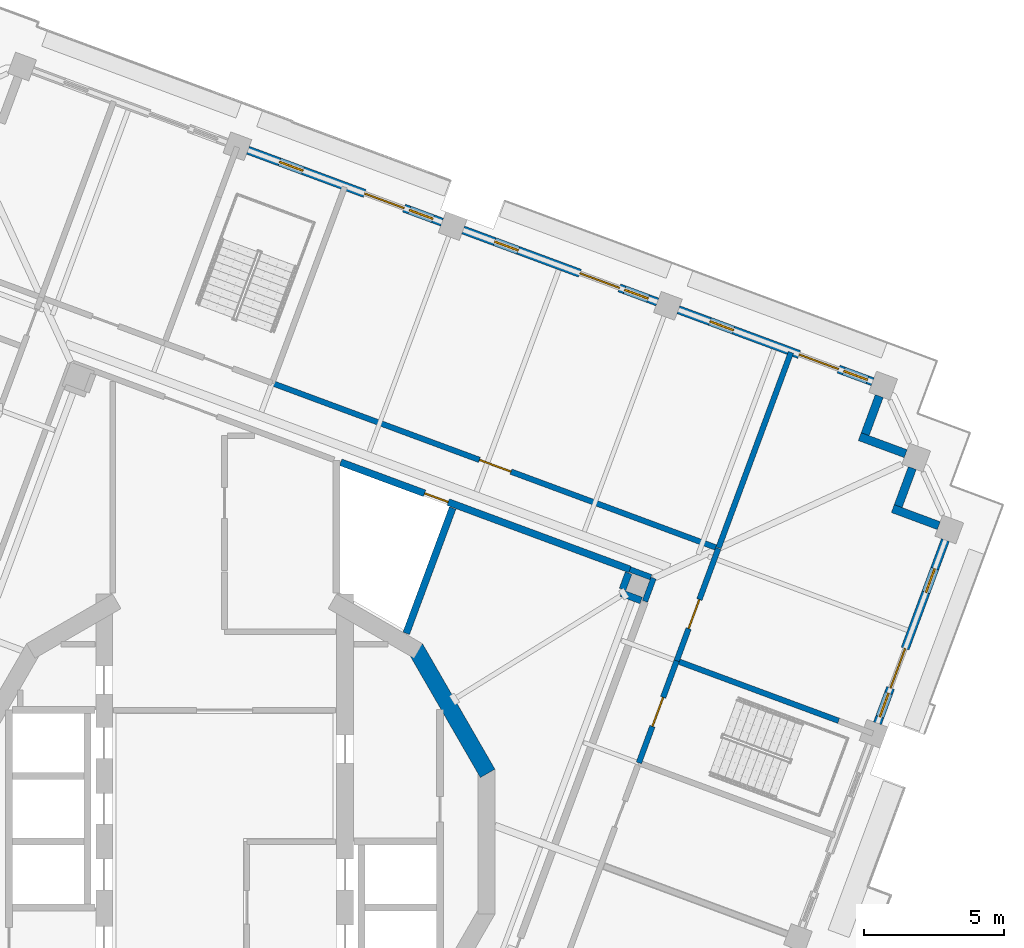
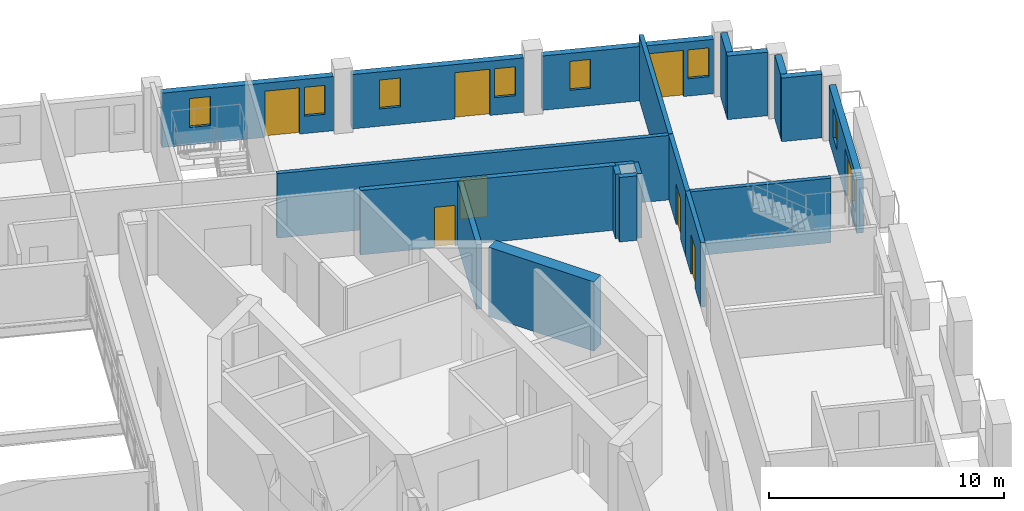
# One storey, part 12 of 20: 20 walls, 8 doors, 8 windows, 16 openings.
"""IFC4 building model written with IfcOpenShell, lengths in metres."""

from ifc_helpers import new_model, si_unit, direction, frame, frame_2d, origin, place, context, subcontext, project, spatial, rectangle, extrude, material, layer, layer_set, type_object, element, fill, save


model = new_model("IFC4")

# Units and contexts
model_context = context("Model", 3, precision=1e-05, world=origin(), true_north=direction((0.0, 1.0)))
body_context = subcontext(model_context, "Body", "Model", "MODEL_VIEW")
ifc_project = project(units=[si_unit("LENGTHUNIT", "METRE"), si_unit("AREAUNIT", "SQUARE_METRE"), si_unit("VOLUMEUNIT", "CUBIC_METRE"), si_unit("PLANEANGLEUNIT", "RADIAN"), si_unit("MASSUNIT", "GRAM", prefix="KILO")], contexts=[model_context])

# Site, building, storey
site_placement = place(None, origin())
site = spatial("IfcSite", under=ifc_project, at=site_placement, CompositionType="ELEMENT")
building_placement = place(site_placement, origin())
building = spatial("IfcBuilding", under=site, at=building_placement, Name="Cantera Rosa Tower", CompositionType="ELEMENT")
storey_placement = place(building_placement, frame((0.0, 0.0, 309.699951171875)))
storey = spatial("IfcBuildingStorey", under=building, at=storey_placement, Name="L68", CompositionType="ELEMENT", Elevation=309.699951171875)

# Walls
ifc_material_1 = material(Name="Gypsum board partition")
ifc_layer_1 = layer(ifc_material_1, 0.199951171875)
ifc_layer_set_1 = layer_set([ifc_layer_1], Name="CORRIDOR WALL 200 H3350")
wall_type_1 = type_object("IfcWallType", Name="CORRIDOR WALL 200 H3350", PredefinedType="PARTITIONING", material=ifc_layer_set_1)
wall_1_placement = place(storey_placement, frame((15.019287109375, 8.586181640625, 0.0), z_axis=(0.0, 0.0, 1.0), x_axis=(0.347684862487, 0.937611452787, 0.0)))
element("IfcWall", 1, at=wall_1_placement, inside=storey, type_object=wall_type_1, Name="CORRIDOR WALL L68-095", PredefinedType="PARTITIONING", context=body_context, shape_type="SweptSolid", body=[
    extrude(rectangle(XDim=0.8798828125, YDim=0.199951171875, at=frame_2d((0.43994140625, 0.0))), origin(), (0.0, 0.0, 1.0), 3.35009765625),
])
wall_2_placement = place(storey_placement, frame((15.2314453125, 9.446044921875, 0.0), z_axis=(0.0, 0.0, 1.0), x_axis=(-0.937664076813, 0.347542916853, 0.0)))
element("IfcWall", 2, at=wall_2_placement, inside=storey, type_object=wall_type_1, Name="CORRIDOR WALL L68-097", PredefinedType="PARTITIONING", context=body_context, shape_type="SweptSolid", body=[
    extrude(rectangle(XDim=0.800048828125, YDim=0.199951171875, at=frame_2d((0.39990234375, 0.0))), origin(), (0.0, 0.0, 1.0), 3.35009765625),
])

# Wall, opening, door
wall_3_placement = place(storey_placement, frame((16.1513671875, 6.460205078125, 0.0), z_axis=(0.0, 0.0, 1.0), x_axis=(0.347438825371, 0.937702651497, 0.0)))
wall_3 = element("IfcWall", 3, at=wall_3_placement, inside=storey, type_object=wall_type_1, Name="CORRIDOR WALL L68-099", PredefinedType="PARTITIONING", context=body_context, shape_type="SweptSolid", body=[
    extrude(rectangle(XDim=4.280029296875, YDim=0.199951171875, at=frame_2d((2.14013671875, 0.0))), origin(), (0.0, 0.0, 1.0), 3.35009765625),
])
opening_1_placement = place(wall_3_placement, frame((1.22998046875, 0.0, 0.0)))
opening_1 = element("IfcOpeningElement", 4, at=opening_1_placement, cuts=wall_3, Name="Opening L68-040", PredefinedType="OPENING", context=body_context, shape_type="SweptSolid", body=[
    extrude(rectangle(XDim=1.10009765625, YDim=2.10009765625, at=frame_2d((0.550048828125, 1.050048828125))), frame((0.0, 0.10986328125, 0.0), z_axis=(0.0, -1.0, 0.0), x_axis=(1.0, 0.0, 0.0)), (0.0, 0.0, 1.0), 0.219970703125),
])
ifc_material_2 = material(Name="Timber door leaf", Category="wood")
door_type_1 = type_object("IfcDoorType", Name="ROOM DOOR 1100x2100", OperationType="NOTDEFINED", PredefinedType="DOOR", material=ifc_material_2)
door_1_placement = place(opening_1_placement, origin())
door_1 = element("IfcDoor", 5, at=door_1_placement, inside=storey, type_object=door_type_1, Name="DOOR L68-040", OperationType="NOTDEFINED", OverallHeight=2.10009765625, OverallWidth=1.10009765625, PredefinedType="DOOR", context=body_context, shape_type="SweptSolid", body=[
    extrude(rectangle(XDim=1.10009765625, YDim=2.10009765625, at=frame_2d((0.550048828125, 1.050048828125))), frame((0.0, 0.02490234375, 0.0), z_axis=(0.0, -1.0, 0.0), x_axis=(1.0, 0.0, 0.0)), (0.0, 0.0, 1.0), 0.050048828125),
])
fill(opening_1, door_1)

wall_4_placement = place(storey_placement, frame((17.544677734375, 10.50830078125, 0.0), z_axis=(0.0, 0.0, 1.0), x_axis=(-0.937684617113, 0.347487494493, 0.0)))
wall_4 = element("IfcWall", 6, at=wall_4_placement, inside=storey, type_object=wall_type_1, Name="CORRIDOR WALL L68-100", PredefinedType="PARTITIONING", context=body_context, shape_type="SweptSolid", body=[
    extrude(rectangle(XDim=16.900146484375, YDim=0.199951171875, at=frame_2d((8.4501953125, 0.0))), origin(), (0.0, 0.0, 1.0), 3.35009765625),
])
opening_2_placement = place(wall_4_placement, frame((7.800048828125, 0.0, 0.0)))
opening_2 = element("IfcOpeningElement", 7, at=opening_2_placement, cuts=wall_4, Name="Opening L68-020", PredefinedType="OPENING", context=body_context, shape_type="SweptSolid", body=[
    extrude(rectangle(XDim=1.199951171875, YDim=2.10009765625, at=frame_2d((0.60009765625, 1.050048828125))), frame((0.0, 0.10986328125, 0.0), z_axis=(0.0, -1.0, 0.0), x_axis=(1.0, 0.0, 0.0)), (0.0, 0.0, 1.0), 0.219970703125),
])
ifc_material_3 = material(Name="Timber door leaf", Category="wood")
door_type_2 = type_object("IfcDoorType", Name="ROOM DOOR 1200x2100", OperationType="NOTDEFINED", PredefinedType="DOOR", material=ifc_material_3)
door_2_placement = place(opening_2_placement, origin())
door_2 = element("IfcDoor", 8, at=door_2_placement, inside=storey, type_object=door_type_2, Name="DOOR L68-020", OperationType="NOTDEFINED", OverallHeight=2.10009765625, OverallWidth=1.199951171875, PredefinedType="DOOR", context=body_context, shape_type="SweptSolid", body=[
    extrude(rectangle(XDim=1.199951171875, YDim=2.10009765625, at=frame_2d((0.60009765625, 1.050048828125))), frame((0.0, 0.02490234375, 0.0), z_axis=(0.0, -1.0, 0.0), x_axis=(1.0, 0.0, 0.0)), (0.0, 0.0, 1.0), 0.050048828125),
])
fill(opening_2, door_2)

# Walls
ifc_material_4 = material(Name="Hollow clay masonry with cantera stone cladding", Category="masonry")
ifc_layer_2 = layer(ifc_material_4, 0.300048828125)
ifc_layer_set_2 = layer_set([ifc_layer_2], Name="EW-LOGGIA 300")
wall_type_2 = type_object("IfcWallType", Name="EW-LOGGIA 300", PredefinedType="SOLIDWALL", material=ifc_layer_set_2)
wall_5_placement = place(storey_placement, frame((25.51220703125, 11.288330078125, 0.0), z_axis=(0.0, 0.0, 1.0), x_axis=(-0.937669639538, 0.34752790836, 0.0)))
element("IfcWall", 9, at=wall_5_placement, inside=storey, type_object=wall_type_2, Name="EN-L68-W25a", PredefinedType="SOLIDWALL", context=body_context, shape_type="SweptSolid", body=[
    extrude(rectangle(XDim=1.75, YDim=0.300048828125, at=frame_2d((0.875, 0.0))), origin(), (0.0, 0.0, 1.0), 3.300048828125),
])
wall_6_placement = place(storey_placement, frame((24.06396484375, 11.985107421875, 0.0), z_axis=(0.0, 0.0, 1.0), x_axis=(0.347522732201, 0.937671557958, 0.0)))
element("IfcWall", 10, at=wall_6_placement, inside=storey, type_object=wall_type_2, Name="EN-L68-W25b", PredefinedType="SOLIDWALL", context=body_context, shape_type="SweptSolid", body=[
    extrude(rectangle(XDim=1.449951171875, YDim=0.300048828125, at=frame_2d((0.72509765625, 0.0))), origin(), (0.0, 0.0, 1.0), 3.300048828125),
])
wall_7_placement = place(storey_placement, frame((24.331787109375, 13.858642578125, 0.0), z_axis=(0.0, 0.0, 1.0), x_axis=(-0.937669639538, 0.34752790836, 0.0)))
element("IfcWall", 11, at=wall_7_placement, inside=storey, type_object=wall_type_2, Name="EN-L68-W26a", PredefinedType="SOLIDWALL", context=body_context, shape_type="SweptSolid", body=[
    extrude(rectangle(XDim=1.75, YDim=0.300048828125, at=frame_2d((0.875, 0.0))), origin(), (0.0, 0.0, 1.0), 3.300048828125),
])
wall_8_placement = place(storey_placement, frame((22.883544921875, 14.555419921875, 0.0), z_axis=(0.0, 0.0, 1.0), x_axis=(0.347522732201, 0.937671557958, 0.0)))
element("IfcWall", 12, at=wall_8_placement, inside=storey, type_object=wall_type_2, Name="EN-L68-W26b", PredefinedType="SOLIDWALL", context=body_context, shape_type="SweptSolid", body=[
    extrude(rectangle(XDim=1.449951171875, YDim=0.300048828125, at=frame_2d((0.72509765625, 0.0))), origin(), (0.0, 0.0, 1.0), 3.300048828125),
])

# Wall, openings, windows, door
ifc_material_5 = material(Name="Hollow clay masonry with cantera stone cladding", Category="masonry")
ifc_layer_3 = layer(ifc_material_5, 0.300048828125)
ifc_layer_set_3 = layer_set([ifc_layer_3], Name="EW-LOGGIA 300 H2820")
wall_type_3 = type_object("IfcWallType", Name="EW-LOGGIA 300 H2820", PredefinedType="SOLIDWALL", material=ifc_layer_set_3)
wall_9_placement = place(storey_placement, frame((23.1513671875, 16.428955078125, 0.0), z_axis=(0.0, 0.0, 1.0), x_axis=(-0.937676706507, 0.347508840281, 0.0)))
wall_9 = element("IfcWall", 13, at=wall_9_placement, inside=storey, type_object=wall_type_3, Name="EN-L68-W01", PredefinedType="SOLIDWALL", context=body_context, shape_type="SweptSolid", body=[
    extrude(rectangle(XDim=7.39990234375, YDim=0.300048828125, at=frame_2d((3.699951171875, 0.0))), origin(), (0.0, 0.0, 1.0), 2.820068359375),
])
opening_3_placement = place(wall_9_placement, frame((0.199951171875, 0.0, 0.89990234375)))
opening_3 = element("IfcOpeningElement", 14, at=opening_3_placement, cuts=wall_9, Name="Opening L68-W01", PredefinedType="OPENING", context=body_context, shape_type="SweptSolid", body=[
    extrude(rectangle(XDim=0.89990234375, YDim=1.5, at=frame_2d((0.449951171875, 0.75))), frame((0.0, 0.159912109375, 0.0), z_axis=(0.0, -1.0, 0.0), x_axis=(1.0, 0.0, 0.0)), (0.0, 0.0, 1.0), 0.320068359375),
])
opening_4_placement = place(wall_9_placement, frame((1.300048828125, 0.0, 0.0)))
opening_4 = element("IfcOpeningElement", 15, at=opening_4_placement, cuts=wall_9, Name="Opening L68-TD02", PredefinedType="OPENING", context=body_context, shape_type="SweptSolid", body=[
    extrude(rectangle(XDim=1.5, YDim=2.39990234375, at=frame_2d((0.75, 1.199951171875))), frame((0.0, 0.159912109375, 0.0), z_axis=(0.0, -1.0, 0.0), x_axis=(1.0, 0.0, 0.0)), (0.0, 0.0, 1.0), 0.320068359375),
])
opening_5_placement = place(wall_9_placement, frame((5.300048828125, 0.0, 0.89990234375)))
opening_5 = element("IfcOpeningElement", 16, at=opening_5_placement, cuts=wall_9, Name="Opening L68-W03", PredefinedType="OPENING", context=body_context, shape_type="SweptSolid", body=[
    extrude(rectangle(XDim=0.89990234375, YDim=1.5, at=frame_2d((0.449951171875, 0.75))), frame((0.0, 0.159912109375, 0.0), z_axis=(0.0, -1.0, 0.0), x_axis=(1.0, 0.0, 0.0)), (0.0, 0.0, 1.0), 0.320068359375),
])
ifc_material_6 = material(Name="Aluminium frame with clear glass", Category="aluminium")
window_type = type_object("IfcWindowType", Name="Residential window 900x1500", PartitioningType="SINGLE_PANEL", PredefinedType="WINDOW", material=ifc_material_6)
window_1_placement = place(opening_3_placement, origin())
window_1 = element("IfcWindow", 17, at=window_1_placement, inside=storey, type_object=window_type, Name="WINDOW L68-W01", OverallHeight=1.5, OverallWidth=0.89990234375, PartitioningType="SINGLE_PANEL", PredefinedType="WINDOW", context=body_context, shape_type="SweptSolid", body=[
    extrude(rectangle(XDim=0.89990234375, YDim=1.5, at=frame_2d((0.449951171875, 0.75))), frame((0.0, 0.030029296875, 0.0), z_axis=(0.0, -1.0, 0.0), x_axis=(1.0, 0.0, 0.0)), (0.0, 0.0, 1.0), 0.06005859375),
])
fill(opening_3, window_1)
window_2_placement = place(opening_5_placement, origin())
window_2 = element("IfcWindow", 18, at=window_2_placement, inside=storey, type_object=window_type, Name="WINDOW L68-W03", OverallHeight=1.5, OverallWidth=0.89990234375, PartitioningType="SINGLE_PANEL", PredefinedType="WINDOW", context=body_context, shape_type="SweptSolid", body=[
    extrude(rectangle(XDim=0.89990234375, YDim=1.5, at=frame_2d((0.449951171875, 0.75))), frame((0.0, 0.030029296875, 0.0), z_axis=(0.0, -1.0, 0.0), x_axis=(1.0, 0.0, 0.0)), (0.0, 0.0, 1.0), 0.06005859375),
])
fill(opening_5, window_2)
ifc_material_7 = material(Name="Aluminium frame with clear glass", Category="aluminium")
door_type_3 = type_object("IfcDoorType", Name="TD-R 1500x2400", OperationType="NOTDEFINED", PredefinedType="DOOR", material=ifc_material_7)
door_3_placement = place(opening_4_placement, origin())
door_3 = element("IfcDoor", 19, at=door_3_placement, inside=storey, type_object=door_type_3, Name="LOGGIA DOOR L68-TD02", OperationType="SLIDING_TO_LEFT", OverallHeight=2.39990234375, OverallWidth=1.5, PredefinedType="DOOR", context=body_context, shape_type="SweptSolid", body=[
    extrude(rectangle(XDim=1.5, YDim=2.39990234375, at=frame_2d((0.75, 1.199951171875))), frame((0.0, 0.02490234375, 0.0), z_axis=(0.0, -1.0, 0.0), x_axis=(1.0, 0.0, 0.0)), (0.0, 0.0, 1.0), 0.050048828125),
])
fill(opening_4, door_3)

wall_10_placement = place(storey_placement, frame((15.46240234375, 19.2783203125, 0.0), z_axis=(0.0, 0.0, 1.0), x_axis=(-0.937680690562, 0.34749808999, 0.0)))
wall_10 = element("IfcWall", 20, at=wall_10_placement, inside=storey, type_object=wall_type_3, Name="EN-L68-W02", PredefinedType="SOLIDWALL", context=body_context, shape_type="SweptSolid", body=[
    extrude(rectangle(XDim=7.400146484375, YDim=0.300048828125, at=frame_2d((3.7001953125, 0.0))), origin(), (0.0, 0.0, 1.0), 2.820068359375),
])
opening_6_placement = place(wall_10_placement, frame((0.35009765625, 0.0, 0.89990234375)))
opening_6 = element("IfcOpeningElement", 21, at=opening_6_placement, cuts=wall_10, Name="Opening L68-W04", PredefinedType="OPENING", context=body_context, shape_type="SweptSolid", body=[
    extrude(rectangle(XDim=0.89990234375, YDim=1.5, at=frame_2d((0.449951171875, 0.75))), frame((0.0, 0.159912109375, 0.0), z_axis=(0.0, -1.0, 0.0), x_axis=(1.0, 0.0, 0.0)), (0.0, 0.0, 1.0), 0.320068359375),
])
opening_7_placement = place(wall_10_placement, frame((1.449951171875, 0.0, 0.0)))
opening_7 = element("IfcOpeningElement", 22, at=opening_7_placement, cuts=wall_10, Name="Opening L68-TD05", PredefinedType="OPENING", context=body_context, shape_type="SweptSolid", body=[
    extrude(rectangle(XDim=1.5, YDim=2.39990234375, at=frame_2d((0.75, 1.199951171875))), frame((0.0, 0.159912109375, 0.0), z_axis=(0.0, -1.0, 0.0), x_axis=(1.0, 0.0, 0.0)), (0.0, 0.0, 1.0), 0.320068359375),
])
opening_8_placement = place(wall_10_placement, frame((5.300048828125, 0.0, 0.89990234375)))
opening_8 = element("IfcOpeningElement", 23, at=opening_8_placement, cuts=wall_10, Name="Opening L68-W06", PredefinedType="OPENING", context=body_context, shape_type="SweptSolid", body=[
    extrude(rectangle(XDim=0.89990234375, YDim=1.5, at=frame_2d((0.449951171875, 0.75))), frame((0.0, 0.159912109375, 0.0), z_axis=(0.0, -1.0, 0.0), x_axis=(1.0, 0.0, 0.0)), (0.0, 0.0, 1.0), 0.320068359375),
])
window_3_placement = place(opening_6_placement, origin())
window_3 = element("IfcWindow", 24, at=window_3_placement, inside=storey, type_object=window_type, Name="WINDOW L68-W04", OverallHeight=1.5, OverallWidth=0.89990234375, PartitioningType="SINGLE_PANEL", PredefinedType="WINDOW", context=body_context, shape_type="SweptSolid", body=[
    extrude(rectangle(XDim=0.89990234375, YDim=1.5, at=frame_2d((0.449951171875, 0.75))), frame((0.0, 0.030029296875, 0.0), z_axis=(0.0, -1.0, 0.0), x_axis=(1.0, 0.0, 0.0)), (0.0, 0.0, 1.0), 0.06005859375),
])
fill(opening_6, window_3)
window_4_placement = place(opening_8_placement, origin())
window_4 = element("IfcWindow", 25, at=window_4_placement, inside=storey, type_object=window_type, Name="WINDOW L68-W06", OverallHeight=1.5, OverallWidth=0.89990234375, PartitioningType="SINGLE_PANEL", PredefinedType="WINDOW", context=body_context, shape_type="SweptSolid", body=[
    extrude(rectangle(XDim=0.89990234375, YDim=1.5, at=frame_2d((0.449951171875, 0.75))), frame((0.0, 0.030029296875, 0.0), z_axis=(0.0, -1.0, 0.0), x_axis=(1.0, 0.0, 0.0)), (0.0, 0.0, 1.0), 0.06005859375),
])
fill(opening_8, window_4)
door_4_placement = place(opening_7_placement, origin())
door_4 = element("IfcDoor", 26, at=door_4_placement, inside=storey, type_object=door_type_3, Name="LOGGIA DOOR L68-TD05", OperationType="SLIDING_TO_LEFT", OverallHeight=2.39990234375, OverallWidth=1.5, PredefinedType="DOOR", context=body_context, shape_type="SweptSolid", body=[
    extrude(rectangle(XDim=1.5, YDim=2.39990234375, at=frame_2d((0.75, 1.199951171875))), frame((0.0, 0.02490234375, 0.0), z_axis=(0.0, -1.0, 0.0), x_axis=(1.0, 0.0, 0.0)), (0.0, 0.0, 1.0), 0.050048828125),
])
fill(opening_7, door_4)

wall_11_placement = place(storey_placement, frame((7.7734375, 22.127685546875, 0.0), z_axis=(0.0, 0.0, 1.0), x_axis=(-0.937680690562, 0.34749808999, 0.0)))
wall_11 = element("IfcWall", 27, at=wall_11_placement, inside=storey, type_object=wall_type_3, Name="EN-L68-W03", PredefinedType="SOLIDWALL", context=body_context, shape_type="SweptSolid", body=[
    extrude(rectangle(XDim=7.400146484375, YDim=0.300048828125, at=frame_2d((3.7001953125, 0.0))), origin(), (0.0, 0.0, 1.0), 2.820068359375),
])
opening_9_placement = place(wall_11_placement, frame((0.35009765625, 0.0, 0.89990234375)))
opening_9 = element("IfcOpeningElement", 28, at=opening_9_placement, cuts=wall_11, Name="Opening L68-W07", PredefinedType="OPENING", context=body_context, shape_type="SweptSolid", body=[
    extrude(rectangle(XDim=0.89990234375, YDim=1.5, at=frame_2d((0.449951171875, 0.75))), frame((0.0, 0.159912109375, 0.0), z_axis=(0.0, -1.0, 0.0), x_axis=(1.0, 0.0, 0.0)), (0.0, 0.0, 1.0), 0.320068359375),
])
opening_10_placement = place(wall_11_placement, frame((1.449951171875, 0.0, 0.0)))
opening_10 = element("IfcOpeningElement", 29, at=opening_10_placement, cuts=wall_11, Name="Opening L68-TD08", PredefinedType="OPENING", context=body_context, shape_type="SweptSolid", body=[
    extrude(rectangle(XDim=1.5, YDim=2.39990234375, at=frame_2d((0.75, 1.199951171875))), frame((0.0, 0.159912109375, 0.0), z_axis=(0.0, -1.0, 0.0), x_axis=(1.0, 0.0, 0.0)), (0.0, 0.0, 1.0), 0.320068359375),
])
opening_11_placement = place(wall_11_placement, frame((5.300048828125, 0.0, 0.89990234375)))
opening_11 = element("IfcOpeningElement", 30, at=opening_11_placement, cuts=wall_11, Name="Opening L68-W09", PredefinedType="OPENING", context=body_context, shape_type="SweptSolid", body=[
    extrude(rectangle(XDim=0.89990234375, YDim=1.5, at=frame_2d((0.449951171875, 0.75))), frame((0.0, 0.159912109375, 0.0), z_axis=(0.0, -1.0, 0.0), x_axis=(1.0, 0.0, 0.0)), (0.0, 0.0, 1.0), 0.320068359375),
])
window_5_placement = place(opening_9_placement, origin())
window_5 = element("IfcWindow", 31, at=window_5_placement, inside=storey, type_object=window_type, Name="WINDOW L68-W07", OverallHeight=1.5, OverallWidth=0.89990234375, PartitioningType="SINGLE_PANEL", PredefinedType="WINDOW", context=body_context, shape_type="SweptSolid", body=[
    extrude(rectangle(XDim=0.89990234375, YDim=1.5, at=frame_2d((0.449951171875, 0.75))), frame((0.0, 0.030029296875, 0.0), z_axis=(0.0, -1.0, 0.0), x_axis=(1.0, 0.0, 0.0)), (0.0, 0.0, 1.0), 0.06005859375),
])
fill(opening_9, window_5)
window_6_placement = place(opening_11_placement, origin())
window_6 = element("IfcWindow", 32, at=window_6_placement, inside=storey, type_object=window_type, Name="WINDOW L68-W09", OverallHeight=1.5, OverallWidth=0.89990234375, PartitioningType="SINGLE_PANEL", PredefinedType="WINDOW", context=body_context, shape_type="SweptSolid", body=[
    extrude(rectangle(XDim=0.89990234375, YDim=1.5, at=frame_2d((0.449951171875, 0.75))), frame((0.0, 0.030029296875, 0.0), z_axis=(0.0, -1.0, 0.0), x_axis=(1.0, 0.0, 0.0)), (0.0, 0.0, 1.0), 0.06005859375),
])
fill(opening_11, window_6)
door_5_placement = place(opening_10_placement, origin())
door_5 = element("IfcDoor", 33, at=door_5_placement, inside=storey, type_object=door_type_3, Name="LOGGIA DOOR L68-TD08", OperationType="SLIDING_TO_LEFT", OverallHeight=2.39990234375, OverallWidth=1.5, PredefinedType="DOOR", context=body_context, shape_type="SweptSolid", body=[
    extrude(rectangle(XDim=1.5, YDim=2.39990234375, at=frame_2d((0.75, 1.199951171875))), frame((0.0, 0.02490234375, 0.0), z_axis=(0.0, -1.0, 0.0), x_axis=(1.0, 0.0, 0.0)), (0.0, 0.0, 1.0), 0.050048828125),
])
fill(opening_10, door_5)

ifc_material_8 = material(Name="Hollow clay masonry with cantera stone cladding", Category="masonry")
ifc_layer_4 = layer(ifc_material_8, 0.300048828125)
ifc_layer_set_4 = layer_set([ifc_layer_4], Name="EW-LOGGIA 300 H2890")
wall_type_4 = type_object("IfcWallType", Name="EW-LOGGIA 300 H2890", PredefinedType="SOLIDWALL", material=ifc_layer_set_4)
wall_12_placement = place(storey_placement, frame((23.322998046875, 4.229248046875, 0.0), z_axis=(0.0, 0.0, 1.0), x_axis=(0.347460165909, 0.937694744097, 0.0)))
wall_12 = element("IfcWall", 34, at=wall_12_placement, inside=storey, type_object=wall_type_4, Name="EN-L68-W24", PredefinedType="SOLIDWALL", context=body_context, shape_type="SweptSolid", body=[
    extrude(rectangle(XDim=6.97998046875, YDim=0.300048828125, at=frame_2d((3.489990234375, 0.0))), origin(), (0.0, 0.0, 1.0), 2.89013671875),
])
opening_12_placement = place(wall_12_placement, frame((0.2451171875, 0.0, 0.89990234375)))
opening_12 = element("IfcOpeningElement", 35, at=opening_12_placement, cuts=wall_12, Name="Opening L68-W46", PredefinedType="OPENING", context=body_context, shape_type="SweptSolid", body=[
    extrude(rectangle(XDim=0.89990234375, YDim=1.5, at=frame_2d((0.449951171875, 0.75))), frame((0.0, 0.159912109375, 0.0), z_axis=(0.0, -1.0, 0.0), x_axis=(1.0, 0.0, 0.0)), (0.0, 0.0, 1.0), 0.320068359375),
])
opening_13_placement = place(wall_12_placement, frame((1.344970703125, 0.0, 0.0)))
opening_13 = element("IfcOpeningElement", 36, at=opening_13_placement, cuts=wall_12, Name="Opening L68-TD47", PredefinedType="OPENING", context=body_context, shape_type="SweptSolid", body=[
    extrude(rectangle(XDim=1.5, YDim=2.39990234375, at=frame_2d((0.75, 1.199951171875))), frame((0.0, 0.159912109375, 0.0), z_axis=(0.0, -1.0, 0.0), x_axis=(1.0, 0.0, 0.0)), (0.0, 0.0, 1.0), 0.320068359375),
])
opening_14_placement = place(wall_12_placement, frame((4.985107421875, 0.0, 0.89990234375)))
opening_14 = element("IfcOpeningElement", 37, at=opening_14_placement, cuts=wall_12, Name="Opening L68-W48", PredefinedType="OPENING", context=body_context, shape_type="SweptSolid", body=[
    extrude(rectangle(XDim=0.89990234375, YDim=1.5, at=frame_2d((0.449951171875, 0.75))), frame((0.0, 0.159912109375, 0.0), z_axis=(0.0, -1.0, 0.0), x_axis=(1.0, 0.0, 0.0)), (0.0, 0.0, 1.0), 0.320068359375),
])
window_7_placement = place(opening_12_placement, origin())
window_7 = element("IfcWindow", 38, at=window_7_placement, inside=storey, type_object=window_type, Name="WINDOW L68-W46", OverallHeight=1.5, OverallWidth=0.89990234375, PartitioningType="SINGLE_PANEL", PredefinedType="WINDOW", context=body_context, shape_type="SweptSolid", body=[
    extrude(rectangle(XDim=0.89990234375, YDim=1.5, at=frame_2d((0.449951171875, 0.75))), frame((0.0, 0.030029296875, 0.0), z_axis=(0.0, -1.0, 0.0), x_axis=(1.0, 0.0, 0.0)), (0.0, 0.0, 1.0), 0.06005859375),
])
fill(opening_12, window_7)
window_8_placement = place(opening_14_placement, origin())
window_8 = element("IfcWindow", 39, at=window_8_placement, inside=storey, type_object=window_type, Name="WINDOW L68-W48", OverallHeight=1.5, OverallWidth=0.89990234375, PartitioningType="SINGLE_PANEL", PredefinedType="WINDOW", context=body_context, shape_type="SweptSolid", body=[
    extrude(rectangle(XDim=0.89990234375, YDim=1.5, at=frame_2d((0.449951171875, 0.75))), frame((0.0, 0.030029296875, 0.0), z_axis=(0.0, -1.0, 0.0), x_axis=(1.0, 0.0, 0.0)), (0.0, 0.0, 1.0), 0.06005859375),
])
fill(opening_14, window_8)
door_6_placement = place(opening_13_placement, origin())
door_6 = element("IfcDoor", 40, at=door_6_placement, inside=storey, type_object=door_type_3, Name="LOGGIA DOOR L68-TD47", OperationType="SLIDING_TO_LEFT", OverallHeight=2.39990234375, OverallWidth=1.5, PredefinedType="DOOR", context=body_context, shape_type="SweptSolid", body=[
    extrude(rectangle(XDim=1.5, YDim=2.39990234375, at=frame_2d((0.75, 1.199951171875))), frame((0.0, 0.02490234375, 0.0), z_axis=(0.0, -1.0, 0.0), x_axis=(1.0, 0.0, 0.0)), (0.0, 0.0, 1.0), 0.050048828125),
])
fill(opening_13, door_6)

# Walls
ifc_material_9 = material(Name="Gypsum board partition")
ifc_layer_5 = layer(ifc_material_9, 0.199951171875)
ifc_layer_set_5 = layer_set([ifc_layer_5], Name="PARTITION 200 H3350")
wall_type_5 = type_object("IfcWallType", Name="PARTITION 200 H3350", PredefinedType="PARTITIONING", material=ifc_layer_set_5)
wall_13_placement = place(storey_placement, frame((20.234130859375, 17.47802734375, 0.0), z_axis=(0.0, 0.0, 1.0), x_axis=(-0.347475519739, -0.937689054635, 0.0)))
element("IfcWall", 41, at=wall_13_placement, inside=storey, type_object=wall_type_5, Name="PARTITION L68-101", PredefinedType="PARTITIONING", context=body_context, shape_type="SweptSolid", body=[
    extrude(rectangle(XDim=7.44970703125, YDim=0.199951171875, at=frame_2d((3.724853515625, 0.0))), origin(), (0.0, 0.0, 1.0), 3.35009765625),
])
ifc_material_10 = material(Name="Concrete C50/60", Category="concrete")
ifc_layer_6 = layer(ifc_material_10, 0.60009765625)
ifc_layer_set_6 = layer_set([ifc_layer_6], Name="RC CORE WALL 600 C50/60")
wall_type_6 = type_object("IfcWallType", Name="RC CORE WALL 600 C50/60", PredefinedType="SHEAR", material=ifc_layer_set_6)
wall_14_placement = place(storey_placement, frame((6.811279296875, 6.921142578125, 0.0), z_axis=(0.0, 0.0, 1.0), x_axis=(0.499989188378, -0.866031645787, 0.0)))
element("IfcWall", 42, at=wall_14_placement, inside=storey, type_object=wall_type_6, Name="CW-E2 L68", PredefinedType="SHEAR", context=body_context, shape_type="SweptSolid", body=[
    extrude(rectangle(XDim=5.17626953125, YDim=0.60009765625, at=frame_2d((2.588134765625, 0.0))), origin(), (0.0, 0.0, 1.0), 3.60009765625),
])
ifc_material_11 = material(Name="Masonry blockwork", Category="masonry")
ifc_layer_7 = layer(ifc_material_11, 0.25)
ifc_layer_set_7 = layer_set([ifc_layer_7], Name="SHAFT WALL 250 H3350")
wall_type_7 = type_object("IfcWallType", Name="SHAFT WALL 250 H3350", PredefinedType="SOLIDWALL", material=ifc_layer_set_7)
wall_15_placement = place(storey_placement, frame((6.489990234375, 7.441162109375, 0.0), z_axis=(0.0, 0.0, 1.0), x_axis=(0.347515955786, 0.937674069426, 0.0)))
element("IfcWall", 43, at=wall_15_placement, inside=storey, type_object=wall_type_7, Name="SHAFT WALL L68-077", PredefinedType="SOLIDWALL", context=body_context, shape_type="SweptSolid", body=[
    extrude(rectangle(XDim=4.772216796875, YDim=0.25, at=frame_2d((2.38623046875, 0.0))), origin(), (0.0, 0.0, 1.0), 3.35009765625),
])
wall_16_placement = place(storey_placement, frame((14.16845703125, 8.8798828125, 0.0), z_axis=(0.0, 0.0, 1.0), x_axis=(0.937760386043, -0.347282965849, 0.0)))
element("IfcWall", 44, at=wall_16_placement, inside=storey, type_object=wall_type_7, Name="SHAFT WALL L68-091", PredefinedType="SOLIDWALL", context=body_context, shape_type="SweptSolid", body=[
    extrude(rectangle(XDim=0.760009765625, YDim=0.25, at=frame_2d((0.3798828125, 0.0))), origin(), (0.0, 0.0, 1.0), 3.35009765625),
])

# Wall, opening, door
wall_17_placement = place(storey_placement, frame((14.481201171875, 9.72412109375, 0.0), z_axis=(0.0, 0.0, 1.0), x_axis=(-0.937690744713, 0.347470958902, 0.0)))
wall_17 = element("IfcWall", 45, at=wall_17_placement, inside=storey, type_object=wall_type_7, Name="SHAFT WALL L68-092", PredefinedType="SOLIDWALL", context=body_context, shape_type="SweptSolid", body=[
    extrude(rectangle(XDim=11.017822265625, YDim=0.25, at=frame_2d((5.5087890625, 0.0))), origin(), (0.0, 0.0, 1.0), 3.35009765625),
])
opening_15_placement = place(wall_17_placement, frame((6.921630859375, 0.0, 0.0)))
opening_15 = element("IfcOpeningElement", 46, at=opening_15_placement, cuts=wall_17, Name="Opening L68-008", PredefinedType="OPENING", context=body_context, shape_type="SweptSolid", body=[
    extrude(rectangle(XDim=0.89990234375, YDim=2.10009765625, at=frame_2d((0.449951171875, 1.050048828125))), frame((0.0, 0.135009765625, 0.0), z_axis=(0.0, -1.0, 0.0), x_axis=(1.0, 0.0, 0.0)), (0.0, 0.0, 1.0), 0.27001953125),
])
ifc_material_12 = material(Name="Timber door leaf", Category="wood")
door_type_4 = type_object("IfcDoorType", Name="SERVICE DOOR 900x2100", OperationType="NOTDEFINED", PredefinedType="DOOR", material=ifc_material_12)
door_7_placement = place(opening_15_placement, origin())
door_7 = element("IfcDoor", 47, at=door_7_placement, inside=storey, type_object=door_type_4, Name="RISER DOOR L68-008", OperationType="NOTDEFINED", OverallHeight=2.10009765625, OverallWidth=0.89990234375, PredefinedType="DOOR", context=body_context, shape_type="SweptSolid", body=[
    extrude(rectangle(XDim=0.89990234375, YDim=2.10009765625, at=frame_2d((0.449951171875, 1.050048828125))), frame((0.0, 0.02490234375, 0.0), z_axis=(0.0, -1.0, 0.0), x_axis=(1.0, 0.0, 0.0)), (0.0, 0.0, 1.0), 0.050048828125),
])
fill(opening_15, door_7)

# Wall
wall_18_placement = place(storey_placement, frame((14.4326171875, 9.5927734375, 0.0), z_axis=(0.0, 0.0, 1.0), x_axis=(-0.347237420636, -0.937777251649, 0.0)))
element("IfcWall", 48, at=wall_18_placement, inside=storey, type_object=wall_type_7, Name="SHAFT WALL L68-093", PredefinedType="SOLIDWALL", context=body_context, shape_type="SweptSolid", body=[
    extrude(rectangle(XDim=0.6201171875, YDim=0.25, at=frame_2d((0.31005859375, 0.0))), origin(), (0.0, 0.0, 1.0), 3.35009765625),
])

# Wall, opening, door
ifc_material_13 = material(Name="Concrete C50/60", Category="concrete")
ifc_layer_8 = layer(ifc_material_13, 0.199951171875)
ifc_layer_set_8 = layer_set([ifc_layer_8], Name="STAIR WALL 200 H3350")
wall_type_8 = type_object("IfcWallType", Name="STAIR WALL 200 H3350", PredefinedType="SOLIDWALL", material=ifc_layer_set_8)
wall_19_placement = place(storey_placement, frame((16.1513671875, 6.460205078125, 0.0), z_axis=(0.0, 0.0, 1.0), x_axis=(-0.347516717491, -0.937673787126, 0.0)))
wall_19 = element("IfcWall", 49, at=wall_19_placement, inside=storey, type_object=wall_type_8, Name="STAIR WALL L68-098", PredefinedType="SOLIDWALL", context=body_context, shape_type="SweptSolid", body=[
    extrude(rectangle(XDim=3.889892578125, YDim=0.199951171875, at=frame_2d((1.94482421875, 0.0))), origin(), (0.0, 0.0, 1.0), 3.35009765625),
])
opening_16_placement = place(wall_19_placement, frame((1.39501953125, 0.0, 0.0)))
opening_16 = element("IfcOpeningElement", 50, at=opening_16_placement, cuts=wall_19, Name="Opening L68-001", PredefinedType="OPENING", context=body_context, shape_type="SweptSolid", body=[
    extrude(rectangle(XDim=1.10009765625, YDim=2.10009765625, at=frame_2d((0.550048828125, 1.050048828125))), frame((0.0, 0.10986328125, 0.0), z_axis=(0.0, -1.0, 0.0), x_axis=(1.0, 0.0, 0.0)), (0.0, 0.0, 1.0), 0.219970703125),
])
ifc_material_14 = material(Name="Steel S355J2 (EN 10025-2)", Category="steel")
door_type_5 = type_object("IfcDoorType", Name="STAIR DOOR 1100x2100", OperationType="NOTDEFINED", PredefinedType="DOOR", material=ifc_material_14)
door_8_placement = place(opening_16_placement, origin())
door_8 = element("IfcDoor", 51, at=door_8_placement, inside=storey, type_object=door_type_5, Name="DOOR L68-001", OperationType="NOTDEFINED", OverallHeight=2.10009765625, OverallWidth=1.10009765625, PredefinedType="DOOR", context=body_context, shape_type="SweptSolid", body=[
    extrude(rectangle(XDim=1.10009765625, YDim=2.10009765625, at=frame_2d((0.550048828125, 1.050048828125))), frame((0.0, 0.02490234375, 0.0), z_axis=(0.0, -1.0, 0.0), x_axis=(1.0, 0.0, 0.0)), (0.0, 0.0, 1.0), 0.050048828125),
])
fill(opening_16, door_8)

# Wall
wall_20_placement = place(storey_placement, frame((21.936767578125, 4.31640625, 0.0), z_axis=(0.0, 0.0, 1.0), x_axis=(-0.937692901762, 0.347465137797, 0.0)))
element("IfcWall", 52, at=wall_20_placement, inside=storey, type_object=wall_type_8, Name="STAIR WALL L68-102 J", PredefinedType="SOLIDWALL", context=body_context, shape_type="SweptSolid", body=[
    extrude(rectangle(XDim=6.169921875, YDim=0.199951171875, at=frame_2d((3.0849609375, 0.0))), origin(), (0.0, 0.0, 1.0), 3.35009765625),
])

save(model, "model.ifc")
